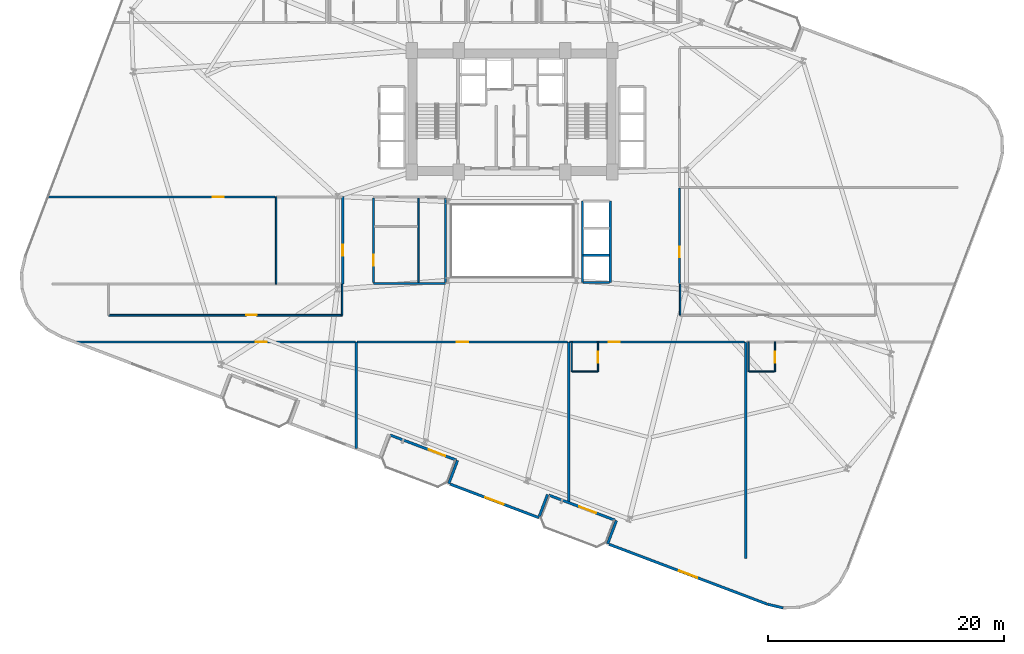
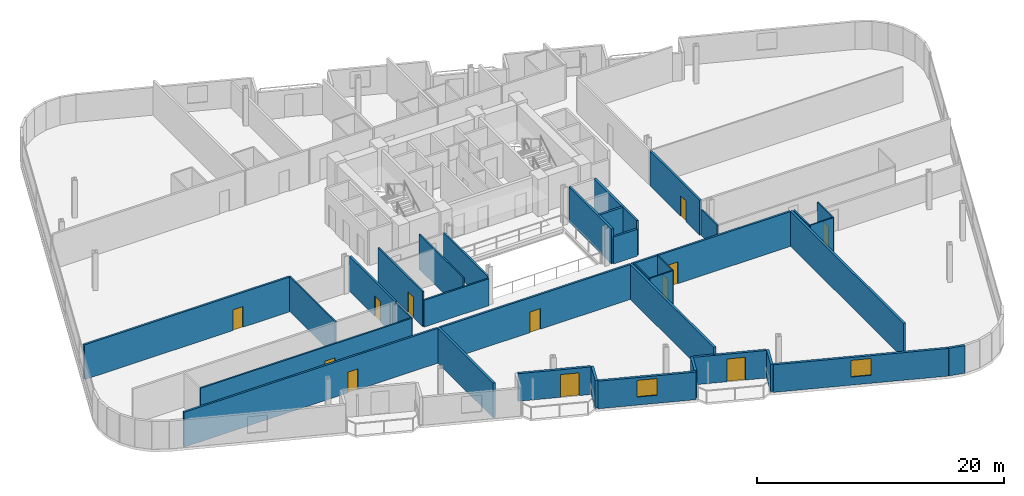
# One storey, part 17 of 24: 35 walls, 12 doors, 2 windows, 14 openings.
"""IFC4 building model written with IfcOpenShell, lengths in metres."""

from ifc_helpers import new_model, si_unit, direction, frame, frame_2d, origin, place, context, subcontext, project, spatial, rectangle, extrude, material, layer, layer_set, type_object, element, fill, save


model = new_model("IFC4")

# Units and contexts
model_context = context("Model", 3, precision=1e-05, world=origin(), true_north=direction((0.0, 1.0)))
body_context = subcontext(model_context, "Body", "Model", "MODEL_VIEW")
ifc_project = project(units=[si_unit("LENGTHUNIT", "METRE"), si_unit("AREAUNIT", "SQUARE_METRE"), si_unit("VOLUMEUNIT", "CUBIC_METRE"), si_unit("PLANEANGLEUNIT", "RADIAN"), si_unit("MASSUNIT", "GRAM", prefix="KILO")], contexts=[model_context])

# Site, building, storey
site_placement = place(None, origin())
site = spatial("IfcSite", under=ifc_project, at=site_placement, CompositionType="ELEMENT")
building_placement = place(site_placement, origin())
building = spatial("IfcBuilding", under=site, at=building_placement, Name="Varnelok Gate Tower", CompositionType="ELEMENT")
storey_placement = place(building_placement, frame((0.0, 0.0, 87.300048828125)))
storey = spatial("IfcBuildingStorey", under=building, at=storey_placement, Name="L21", CompositionType="ELEMENT", Elevation=87.300048828125)

# Wall, opening, door
ifc_material_1 = material(Name="Concrete C45/55", Category="concrete")
ifc_layer_1 = layer(ifc_material_1, 0.219970703125)
ifc_layer_set_1 = layer_set([ifc_layer_1], Name="Concrete C45/55")
wall_type_1 = type_object("IfcWallType", Name="EW-BALC-220", PredefinedType="SOLIDWALL", material=ifc_layer_set_1)
wall_1_placement = place(storey_placement, frame((34.4677734375, 4.326904296875, 0.0), z_axis=(0.0, 0.0, 1.0), x_axis=(-0.9352192676, 0.354069091436, 0.0)))
wall_1 = element("IfcWall", 1, at=wall_1_placement, inside=storey, type_object=wall_type_1, Name="L21 South Terrace Envelope Wall 2", PredefinedType="SOLIDWALL", context=body_context, shape_type="SweptSolid", body=[
    extrude(rectangle(XDim=6.000244140625, YDim=0.219970703125, at=frame_2d((3.0, 0.0))), origin(), (0.0, 0.0, 1.0), 2.72998046875),
])
opening_1_placement = place(wall_1_placement, frame((0.991943359375, 0.0, 0.0)))
opening_1 = element("IfcOpeningElement", 2, at=opening_1_placement, cuts=wall_1, Name="Opening BD-1", PredefinedType="OPENING", context=body_context, shape_type="SweptSolid", body=[
    extrude(rectangle(XDim=1.5, YDim=2.25, at=frame_2d((0.75, 1.125))), frame((0.0, 0.119873046875, 0.0), z_axis=(0.0, -1.0, 0.0), x_axis=(1.0, 0.0, 0.0)), (0.0, 0.0, 1.0), 0.239990234375),
])
ifc_material_2 = material(Name="Anodized Aluminum Alloy 6063-T6", Category="aluminium")
door_type_1 = type_object("IfcDoorType", Name="DR-EXT-BALC1500", OperationType="NOTDEFINED", PredefinedType="DOOR", material=ifc_material_2)
door_1_placement = place(opening_1_placement, origin())
door_1 = element("IfcDoor", 3, at=door_1_placement, inside=storey, type_object=door_type_1, Name="L21 South Balcony Glazed Door 2", OperationType="SINGLE_SWING_LEFT", OverallHeight=2.25, OverallWidth=1.5, PredefinedType="DOOR", context=body_context, shape_type="SweptSolid", body=[
    extrude(rectangle(XDim=1.5, YDim=2.25, at=frame_2d((0.75, 1.125))), frame((0.0, 0.02490234375, 0.0), z_axis=(0.0, -1.0, 0.0), x_axis=(1.0, 0.0, 0.0)), (0.0, 0.0, 1.0), 0.050048828125),
])
fill(opening_1, door_1)

wall_2_placement = place(storey_placement, frame((47.934814453125, -0.771484375, 0.0), z_axis=(0.0, 0.0, 1.0), x_axis=(-0.935227640088, 0.354046976001, 0.0)))
wall_2 = element("IfcWall", 4, at=wall_2_placement, inside=storey, type_object=wall_type_1, Name="L21 South Terrace Envelope Wall 3", PredefinedType="SOLIDWALL", context=body_context, shape_type="SweptSolid", body=[
    extrude(rectangle(XDim=6.0, YDim=0.219970703125, at=frame_2d((3.0, 0.0))), origin(), (0.0, 0.0, 1.0), 2.72998046875),
])
opening_2_placement = place(wall_2_placement, frame((1.73193359375, 0.0, 0.0)))
opening_2 = element("IfcOpeningElement", 5, at=opening_2_placement, cuts=wall_2, Name="Opening BD-1", PredefinedType="OPENING", context=body_context, shape_type="SweptSolid", body=[
    extrude(rectangle(XDim=1.5, YDim=2.25, at=frame_2d((0.75, 1.125))), frame((0.0, 0.119873046875, 0.0), z_axis=(0.0, -1.0, 0.0), x_axis=(1.0, 0.0, 0.0)), (0.0, 0.0, 1.0), 0.239990234375),
])
door_2_placement = place(opening_2_placement, origin())
door_2 = element("IfcDoor", 6, at=door_2_placement, inside=storey, type_object=door_type_1, Name="L21 South Balcony Glazed Door 3", OperationType="SINGLE_SWING_RIGHT", OverallHeight=2.25, OverallWidth=1.5, PredefinedType="DOOR", context=body_context, shape_type="SweptSolid", body=[
    extrude(rectangle(XDim=1.5, YDim=2.25, at=frame_2d((0.75, 1.125))), frame((0.0, 0.02490234375, 0.0), z_axis=(0.0, -1.0, 0.0), x_axis=(1.0, 0.0, 0.0)), (0.0, 0.0, 1.0), 0.050048828125),
])
fill(opening_2, door_2)

# Wall
wall_3_placement = place(storey_placement, frame((34.58349609375, 4.293701171875, 0.0), z_axis=(0.0, 0.0, 1.0), x_axis=(-0.354128469405, -0.935196785258, 0.0)))
element("IfcWall", 7, at=wall_3_placement, inside=storey, type_object=wall_type_1, Name="L21 Perimeter Facade Closure Wall 12", PredefinedType="SOLIDWALL", context=body_context, shape_type="SweptSolid", body=[
    extrude(rectangle(XDim=2.099853515625, YDim=0.219970703125, at=frame_2d((1.0498046875, 0.0))), origin(), (0.0, 0.0, 1.0), 2.72998046875),
])

# Wall, opening, window
wall_4_placement = place(storey_placement, frame((33.956787109375, 2.28564453125, 0.0), z_axis=(0.0, 0.0, 1.0), x_axis=(0.935220736163, -0.354065212427, 0.0)))
wall_4 = element("IfcWall", 8, at=wall_4_placement, inside=storey, type_object=wall_type_1, Name="L21 Perimeter Facade Closure Wall 13", PredefinedType="SOLIDWALL", context=body_context, shape_type="SweptSolid", body=[
    extrude(rectangle(XDim=8.03515625, YDim=0.219970703125, at=frame_2d((4.017578125, 0.0))), origin(), (0.0, 0.0, 1.0), 2.72998046875),
])
opening_3_placement = place(wall_4_placement, frame((3.1923828125, 0.0, 0.800048828125)))
opening_3 = element("IfcOpeningElement", 9, at=opening_3_placement, cuts=wall_4, Name="Opening WN3", PredefinedType="OPENING", context=body_context, shape_type="SweptSolid", body=[
    extrude(rectangle(XDim=1.64990234375, YDim=1.64990234375, at=frame_2d((0.824951171875, 0.824951171875))), frame((0.0, 0.119873046875, 0.0), z_axis=(0.0, -1.0, 0.0), x_axis=(1.0, 0.0, 0.0)), (0.0, 0.0, 1.0), 0.239990234375),
])
ifc_material_3 = material(Name="Low-E Laminated Double Glazing IGU", Category="glass")
window_type = type_object("IfcWindowType", Name="WN-HTL-1650", PartitioningType="SINGLE_PANEL", PredefinedType="WINDOW", material=ifc_material_3)
window_1_placement = place(opening_3_placement, origin())
window_1 = element("IfcWindow", 10, at=window_1_placement, inside=storey, type_object=window_type, Name="L21 Perimeter Vision Window 13", OverallHeight=1.64990234375, OverallWidth=1.64990234375, PartitioningType="SINGLE_PANEL", PredefinedType="WINDOW", context=body_context, shape_type="SweptSolid", body=[
    extrude(rectangle(XDim=1.64990234375, YDim=1.64990234375, at=frame_2d((0.824951171875, 0.824951171875))), frame((0.0, 0.030029296875, 0.0), z_axis=(0.0, -1.0, 0.0), x_axis=(1.0, 0.0, 0.0)), (0.0, 0.0, 1.0), 0.06005859375),
])
fill(opening_3, window_1)

# Walls
wall_5_placement = place(storey_placement, frame((41.515625, -0.4423828125, 0.0), z_axis=(0.0, 0.0, 1.0), x_axis=(0.354061611705, 0.935222099352, 0.0)))
element("IfcWall", 11, at=wall_5_placement, inside=storey, type_object=wall_type_1, Name="L21 Perimeter Facade Closure Wall 14", PredefinedType="SOLIDWALL", context=body_context, shape_type="SweptSolid", body=[
    extrude(rectangle(XDim=1.974853515625, YDim=0.219970703125, at=frame_2d((0.9873046875, 0.0))), origin(), (0.0, 0.0, 1.0), 2.72998046875),
])
wall_6_placement = place(storey_placement, frame((48.050537109375, -0.8046875, 0.0), z_axis=(0.0, 0.0, 1.0), x_axis=(-0.353988291547, -0.935249854022, 0.0)))
element("IfcWall", 12, at=wall_6_placement, inside=storey, type_object=wall_type_1, Name="L21 Perimeter Facade Closure Wall 15", PredefinedType="SOLIDWALL", context=body_context, shape_type="SweptSolid", body=[
    extrude(rectangle(XDim=2.10009765625, YDim=0.219970703125, at=frame_2d((1.050048828125, 0.0))), origin(), (0.0, 0.0, 1.0), 2.72998046875),
])

# Wall, opening, window
wall_7_placement = place(storey_placement, frame((47.424072265625, -2.81298828125, 0.0), z_axis=(0.0, 0.0, 1.0), x_axis=(0.935225962032, -0.354051408614, 0.0)))
wall_7 = element("IfcWall", 13, at=wall_7_placement, inside=storey, type_object=wall_type_1, Name="L21 Perimeter Facade Closure Wall 16", PredefinedType="SOLIDWALL", context=body_context, shape_type="SweptSolid", body=[
    extrude(rectangle(XDim=14.346923828125, YDim=0.219970703125, at=frame_2d((7.17333984375, 0.0))), origin(), (0.0, 0.0, 1.0), 2.72998046875),
])
opening_4_placement = place(wall_7_placement, frame((6.348388671875, 0.0, 0.800048828125)))
opening_4 = element("IfcOpeningElement", 14, at=opening_4_placement, cuts=wall_7, Name="Opening WN3", PredefinedType="OPENING", context=body_context, shape_type="SweptSolid", body=[
    extrude(rectangle(XDim=1.64990234375, YDim=1.64990234375, at=frame_2d((0.824951171875, 0.824951171875))), frame((0.0, 0.119873046875, 0.0), z_axis=(0.0, -1.0, 0.0), x_axis=(1.0, 0.0, 0.0)), (0.0, 0.0, 1.0), 0.239990234375),
])
window_2_placement = place(opening_4_placement, origin())
window_2 = element("IfcWindow", 15, at=window_2_placement, inside=storey, type_object=window_type, Name="L21 Perimeter Vision Window 16", OverallHeight=1.64990234375, OverallWidth=1.64990234375, PartitioningType="SINGLE_PANEL", PredefinedType="WINDOW", context=body_context, shape_type="SweptSolid", body=[
    extrude(rectangle(XDim=1.64990234375, YDim=1.64990234375, at=frame_2d((0.824951171875, 0.824951171875))), frame((0.0, 0.030029296875, 0.0), z_axis=(0.0, -1.0, 0.0), x_axis=(1.0, 0.0, 0.0)), (0.0, 0.0, 1.0), 0.06005859375),
])
fill(opening_4, window_2)

# Wall
wall_8_placement = place(storey_placement, frame((60.8662109375, -7.8984375, 0.0), z_axis=(0.0, 0.0, 1.0), x_axis=(0.973405403345, -0.229089329169, 0.0)))
element("IfcWall", 16, at=wall_8_placement, inside=storey, type_object=wall_type_1, Name="L21 Perimeter Facade Closure Wall 17", PredefinedType="SOLIDWALL", context=body_context, shape_type="SweptSolid", body=[
    extrude(rectangle(XDim=1.36083984375, YDim=0.219970703125, at=frame_2d((0.680419921875, 0.0))), origin(), (0.0, 0.0, 1.0), 2.72998046875),
])

# Wall, opening, door
ifc_material_4 = material(Name="Gypsum Plasterboard Acoustic Partition", Category="gypsum")
ifc_layer_2 = layer(ifc_material_4, 0.179931640625)
ifc_layer_set_2 = layer_set([ifc_layer_2], Name="Gypsum Plasterboard Acoustic Partition")
wall_type_2 = type_object("IfcWallType", Name="PW-CORR-180", PredefinedType="PARTITIONING", material=ifc_layer_set_2)
wall_9_placement = place(storey_placement, frame((2.146240234375, 14.35009765625, 0.0), z_axis=(0.0, 0.0, 1.0), x_axis=(1.0, 0.0, 0.0)))
wall_9 = element("IfcWall", 17, at=wall_9_placement, inside=storey, type_object=wall_type_2, Name="Interior Partition", PredefinedType="PARTITIONING", context=body_context, shape_type="SweptSolid", body=[
    extrude(rectangle(XDim=23.773681640625, YDim=0.179931640625, at=frame_2d((11.88671875, 0.0))), origin(), (0.0, 0.0, 1.0), 3.449951171875),
])
opening_5_placement = place(wall_9_placement, frame((15.32861328125, 0.0, 0.0)))
opening_5 = element("IfcOpeningElement", 18, at=opening_5_placement, cuts=wall_9, Name="Opening D-I2", PredefinedType="OPENING", context=body_context, shape_type="SweptSolid", body=[
    extrude(rectangle(XDim=0.949951171875, YDim=2.050048828125, at=frame_2d((0.47509765625, 1.02490234375))), frame((0.0, 0.099853515625, 0.0), z_axis=(0.0, -1.0, 0.0), x_axis=(1.0, 0.0, 0.0)), (0.0, 0.0, 1.0), 0.199951171875),
])
ifc_material_5 = material(Name="Engineered Hardwood Timber", Category="wood")
door_type_2 = type_object("IfcDoorType", Name="DR-INT-950", OperationType="NOTDEFINED", PredefinedType="DOOR", material=ifc_material_5)
door_3_placement = place(opening_5_placement, origin())
door_3 = element("IfcDoor", 19, at=door_3_placement, inside=storey, type_object=door_type_2, Name="L21 Hotel Business Center Door", OperationType="SINGLE_SWING_LEFT", OverallHeight=2.050048828125, OverallWidth=0.949951171875, PredefinedType="DOOR", context=body_context, shape_type="SweptSolid", body=[
    extrude(rectangle(XDim=0.949951171875, YDim=2.050048828125, at=frame_2d((0.47509765625, 1.02490234375))), frame((0.0, 0.02490234375, 0.0), z_axis=(0.0, -1.0, 0.0), x_axis=(1.0, 0.0, 0.0)), (0.0, 0.0, 1.0), 0.050048828125),
])
fill(opening_5, door_3)

wall_10_placement = place(storey_placement, frame((26.080078125, 14.35009765625, 0.0), z_axis=(0.0, 0.0, 1.0), x_axis=(1.0, 0.0, 0.0)))
wall_10 = element("IfcWall", 20, at=wall_10_placement, inside=storey, type_object=wall_type_2, Name="Interior Partition", PredefinedType="PARTITIONING", context=body_context, shape_type="SweptSolid", body=[
    extrude(rectangle(XDim=17.83984375, YDim=0.179931640625, at=frame_2d((8.919921875, 0.0))), origin(), (0.0, 0.0, 1.0), 3.449951171875),
])
opening_6_placement = place(wall_10_placement, frame((8.445068359375, 0.0, 0.0)))
opening_6 = element("IfcOpeningElement", 21, at=opening_6_placement, cuts=wall_10, Name="Opening D-I2", PredefinedType="OPENING", context=body_context, shape_type="SweptSolid", body=[
    extrude(rectangle(XDim=0.949951171875, YDim=2.050048828125, at=frame_2d((0.47509765625, 1.02490234375))), frame((0.0, 0.099853515625, 0.0), z_axis=(0.0, -1.0, 0.0), x_axis=(1.0, 0.0, 0.0)), (0.0, 0.0, 1.0), 0.199951171875),
])
door_4_placement = place(opening_6_placement, origin())
door_4 = element("IfcDoor", 22, at=door_4_placement, inside=storey, type_object=door_type_2, Name="L21 Executive Business Office 1 Door", OperationType="SINGLE_SWING_LEFT", OverallHeight=2.050048828125, OverallWidth=0.949951171875, PredefinedType="DOOR", context=body_context, shape_type="SweptSolid", body=[
    extrude(rectangle(XDim=0.949951171875, YDim=2.050048828125, at=frame_2d((0.47509765625, 1.02490234375))), frame((0.0, 0.02490234375, 0.0), z_axis=(0.0, -1.0, 0.0), x_axis=(1.0, 0.0, 0.0)), (0.0, 0.0, 1.0), 0.050048828125),
])
fill(opening_6, door_4)

wall_11_placement = place(storey_placement, frame((44.080078125, 14.35009765625, 0.0), z_axis=(0.0, 0.0, 1.0), x_axis=(1.0, 0.0, 0.0)))
wall_11 = element("IfcWall", 23, at=wall_11_placement, inside=storey, type_object=wall_type_2, Name="Interior Partition", PredefinedType="PARTITIONING", context=body_context, shape_type="SweptSolid", body=[
    extrude(rectangle(XDim=14.83984375, YDim=0.179931640625, at=frame_2d((7.419921875, 0.0))), origin(), (0.0, 0.0, 1.0), 3.449951171875),
])
opening_7_placement = place(wall_11_placement, frame((3.323486328125, 0.0, 0.0)))
opening_7 = element("IfcOpeningElement", 24, at=opening_7_placement, cuts=wall_11, Name="Opening D-HT", PredefinedType="OPENING", context=body_context, shape_type="SweptSolid", body=[
    extrude(rectangle(XDim=0.949951171875, YDim=2.14990234375, at=frame_2d((0.47509765625, 1.074951171875))), frame((0.0, 0.099853515625, 0.0), z_axis=(0.0, -1.0, 0.0), x_axis=(1.0, 0.0, 0.0)), (0.0, 0.0, 1.0), 0.199951171875),
])
door_type_3 = type_object("IfcDoorType", Name="DR-HTL-950", OperationType="NOTDEFINED", PredefinedType="DOOR", material=ifc_material_5)
door_5_placement = place(opening_7_placement, origin())
door_5 = element("IfcDoor", 25, at=door_5_placement, inside=storey, type_object=door_type_3, Name="L21 Guest Room 03 Entrance Door", OperationType="SINGLE_SWING_RIGHT", OverallHeight=2.14990234375, OverallWidth=0.949951171875, PredefinedType="DOOR", context=body_context, shape_type="SweptSolid", body=[
    extrude(rectangle(XDim=0.949951171875, YDim=2.14990234375, at=frame_2d((0.47509765625, 1.074951171875))), frame((0.0, 0.02490234375, 0.0), z_axis=(0.0, -1.0, 0.0), x_axis=(1.0, 0.0, 0.0)), (0.0, 0.0, 1.0), 0.050048828125),
])
fill(opening_7, door_5)

wall_12_placement = place(storey_placement, frame((-0.093505859375, 26.639892578125, 0.0), z_axis=(0.0, 0.0, 1.0), x_axis=(1.0, 0.0, 0.0)))
wall_12 = element("IfcWall", 26, at=wall_12_placement, inside=storey, type_object=wall_type_2, Name="Interior Partition", PredefinedType="PARTITIONING", context=body_context, shape_type="SweptSolid", body=[
    extrude(rectangle(XDim=19.213623046875, YDim=0.179931640625, at=frame_2d((9.60693359375, 0.0))), origin(), (0.0, 0.0, 1.0), 3.449951171875),
])
opening_8_placement = place(wall_12_placement, frame((13.922607421875, 0.0, 0.0)))
opening_8 = element("IfcOpeningElement", 27, at=opening_8_placement, cuts=wall_12, Name="Opening D-I3", PredefinedType="OPENING", context=body_context, shape_type="SweptSolid", body=[
    extrude(rectangle(XDim=0.919921875, YDim=2.050048828125, at=frame_2d((0.4599609375, 1.02490234375))), frame((0.0, 0.099853515625, 0.0), z_axis=(0.0, -1.0, 0.0), x_axis=(1.0, 0.0, 0.0)), (0.0, 0.0, 1.0), 0.199951171875),
])
door_type_4 = type_object("IfcDoorType", Name="DR-INT-920", OperationType="NOTDEFINED", PredefinedType="DOOR", material=ifc_material_5)
door_6_placement = place(opening_8_placement, origin())
door_6 = element("IfcDoor", 28, at=door_6_placement, inside=storey, type_object=door_type_4, Name="L21 West Treatment Door", OperationType="SINGLE_SWING_RIGHT", OverallHeight=2.050048828125, OverallWidth=0.919921875, PredefinedType="DOOR", context=body_context, shape_type="SweptSolid", body=[
    extrude(rectangle(XDim=0.919921875, YDim=2.050048828125, at=frame_2d((0.4599609375, 1.02490234375))), frame((0.0, 0.02490234375, 0.0), z_axis=(0.0, -1.0, 0.0), x_axis=(1.0, 0.0, 0.0)), (0.0, 0.0, 1.0), 0.050048828125),
])
fill(opening_8, door_6)

wall_13_placement = place(storey_placement, frame((24.85009765625, 19.239990234375, 0.0), z_axis=(0.0, 0.0, 1.0), x_axis=(0.0, 1.0, 0.0)))
wall_13 = element("IfcWall", 29, at=wall_13_placement, inside=storey, type_object=wall_type_2, Name="Interior Partition", PredefinedType="PARTITIONING", context=body_context, shape_type="SweptSolid", body=[
    extrude(rectangle(XDim=7.419921875, YDim=0.179931640625, at=frame_2d((3.7099609375, 0.0))), origin(), (0.0, 0.0, 1.0), 3.449951171875),
])
opening_9_placement = place(wall_13_placement, frame((2.39990234375, 0.0, 0.0)))
opening_9 = element("IfcOpeningElement", 30, at=opening_9_placement, cuts=wall_13, Name="Opening D-I3", PredefinedType="OPENING", context=body_context, shape_type="SweptSolid", body=[
    extrude(rectangle(XDim=0.919921875, YDim=2.050048828125, at=frame_2d((0.4599609375, 1.02490234375))), frame((0.0, 0.099853515625, 0.0), z_axis=(0.0, -1.0, 0.0), x_axis=(1.0, 0.0, 0.0)), (0.0, 0.0, 1.0), 0.199951171875),
])
door_7_placement = place(opening_9_placement, origin())
door_7 = element("IfcDoor", 31, at=door_7_placement, inside=storey, type_object=door_type_4, Name="L21 West Playroom Door", OperationType="SINGLE_SWING_LEFT", OverallHeight=2.050048828125, OverallWidth=0.919921875, PredefinedType="DOOR", context=body_context, shape_type="SweptSolid", body=[
    extrude(rectangle(XDim=0.919921875, YDim=2.050048828125, at=frame_2d((0.4599609375, 1.02490234375))), frame((0.0, 0.02490234375, 0.0), z_axis=(0.0, -1.0, 0.0), x_axis=(1.0, 0.0, 0.0)), (0.0, 0.0, 1.0), 0.050048828125),
])
fill(opening_9, door_7)

wall_14_placement = place(storey_placement, frame((53.389892578125, 19.300048828125, 0.0), z_axis=(0.0, 0.0, 1.0), x_axis=(0.0, 1.0, 0.0)))
wall_14 = element("IfcWall", 32, at=wall_14_placement, inside=storey, type_object=wall_type_2, Name="Interior Partition", PredefinedType="PARTITIONING", context=body_context, shape_type="SweptSolid", body=[
    extrude(rectangle(XDim=8.070068359375, YDim=0.179931640625, at=frame_2d((4.03515625, 0.0))), origin(), (0.0, 0.0, 1.0), 3.449951171875),
])
opening_10_placement = place(wall_14_placement, frame((2.199951171875, 0.0, 0.0)))
opening_10 = element("IfcOpeningElement", 33, at=opening_10_placement, cuts=wall_14, Name="Opening D-I3", PredefinedType="OPENING", context=body_context, shape_type="SweptSolid", body=[
    extrude(rectangle(XDim=0.919921875, YDim=2.050048828125, at=frame_2d((0.4599609375, 1.02490234375))), frame((0.0, 0.099853515625, 0.0), z_axis=(0.0, -1.0, 0.0), x_axis=(1.0, 0.0, 0.0)), (0.0, 0.0, 1.0), 0.199951171875),
])
door_8_placement = place(opening_10_placement, origin())
door_8 = element("IfcDoor", 34, at=door_8_placement, inside=storey, type_object=door_type_4, Name="L21 East Suite 1 Door", OperationType="SINGLE_SWING_LEFT", OverallHeight=2.050048828125, OverallWidth=0.919921875, PredefinedType="DOOR", context=body_context, shape_type="SweptSolid", body=[
    extrude(rectangle(XDim=0.919921875, YDim=2.050048828125, at=frame_2d((0.4599609375, 1.02490234375))), frame((0.0, 0.02490234375, 0.0), z_axis=(0.0, -1.0, 0.0), x_axis=(1.0, 0.0, 0.0)), (0.0, 0.0, 1.0), 0.050048828125),
])
fill(opening_10, door_8)

# Wall
ifc_layer_3 = layer(ifc_material_4, 0.114990234375)
ifc_layer_set_3 = layer_set([ifc_layer_3], Name="Gypsum Plasterboard Acoustic Partition")
wall_type_3 = type_object("IfcWallType", Name="PW-ENS-125", PredefinedType="PARTITIONING", material=ifc_layer_set_3)
wall_15_placement = place(storey_placement, frame((44.300048828125, 11.830078125, 0.0), z_axis=(0.0, 0.0, 1.0), x_axis=(1.0, 0.0, 0.0)))
element("IfcWall", 35, at=wall_15_placement, inside=storey, type_object=wall_type_3, Name="Interior Partition", PredefinedType="PARTITIONING", context=body_context, shape_type="SweptSolid", body=[
    extrude(rectangle(XDim=2.14990234375, YDim=0.114990234375, at=frame_2d((1.074951171875, 0.0))), origin(), (0.0, 0.0, 1.0), 3.449951171875),
])

# Wall, opening, door
wall_16_placement = place(storey_placement, frame((46.489990234375, 11.830078125, 0.0), z_axis=(0.0, 0.0, 1.0), x_axis=(0.0, 1.0, 0.0)))
wall_16 = element("IfcWall", 36, at=wall_16_placement, inside=storey, type_object=wall_type_3, Name="Interior Partition", PredefinedType="PARTITIONING", context=body_context, shape_type="SweptSolid", body=[
    extrude(rectangle(XDim=2.52001953125, YDim=0.114990234375, at=frame_2d((1.260009765625, 0.0))), origin(), (0.0, 0.0, 1.0), 3.449951171875),
])
opening_11_placement = place(wall_16_placement, frame((0.760009765625, 0.0, 0.0)))
opening_11 = element("IfcOpeningElement", 37, at=opening_11_placement, cuts=wall_16, Name="Opening D-WC", PredefinedType="OPENING", context=body_context, shape_type="SweptSolid", body=[
    extrude(rectangle(XDim=0.89990234375, YDim=2.050048828125, at=frame_2d((0.449951171875, 1.02490234375))), frame((0.0, 0.0673828125, 0.0), z_axis=(0.0, -1.0, 0.0), x_axis=(1.0, 0.0, 0.0)), (0.0, 0.0, 1.0), 0.135009765625),
])
door_type_5 = type_object("IfcDoorType", Name="DR-BATH-900", OperationType="NOTDEFINED", PredefinedType="DOOR", material=ifc_material_5)
door_9_placement = place(opening_11_placement, origin())
door_9 = element("IfcDoor", 38, at=door_9_placement, inside=storey, type_object=door_type_5, Name="L21 Guest En-Suite 03 Door", OperationType="SINGLE_SWING_LEFT", OverallHeight=2.050048828125, OverallWidth=0.89990234375, PredefinedType="DOOR", context=body_context, shape_type="SweptSolid", body=[
    extrude(rectangle(XDim=0.89990234375, YDim=2.050048828125, at=frame_2d((0.449951171875, 1.02490234375))), frame((0.0, 0.02490234375, 0.0), z_axis=(0.0, -1.0, 0.0), x_axis=(1.0, 0.0, 0.0)), (0.0, 0.0, 1.0), 0.050048828125),
])
fill(opening_11, door_9)

# Walls
wall_17_placement = place(storey_placement, frame((44.260009765625, 11.830078125, 0.0), z_axis=(0.0, 0.0, 1.0), x_axis=(0.0, 1.0, 0.0)))
element("IfcWall", 39, at=wall_17_placement, inside=storey, type_object=wall_type_3, Name="Interior Partition", PredefinedType="PARTITIONING", context=body_context, shape_type="SweptSolid", body=[
    extrude(rectangle(XDim=2.52001953125, YDim=0.114990234375, at=frame_2d((1.260009765625, 0.0))), origin(), (0.0, 0.0, 1.0), 3.449951171875),
])
wall_18_placement = place(storey_placement, frame((59.300048828125, 11.830078125, 0.0), z_axis=(0.0, 0.0, 1.0), x_axis=(1.0, 0.0, 0.0)))
element("IfcWall", 40, at=wall_18_placement, inside=storey, type_object=wall_type_3, Name="Interior Partition", PredefinedType="PARTITIONING", context=body_context, shape_type="SweptSolid", body=[
    extrude(rectangle(XDim=2.14990234375, YDim=0.114990234375, at=frame_2d((1.074951171875, 0.0))), origin(), (0.0, 0.0, 1.0), 3.449951171875),
])

# Wall, opening, door
wall_19_placement = place(storey_placement, frame((61.489990234375, 11.830078125, 0.0), z_axis=(0.0, 0.0, 1.0), x_axis=(0.0, 1.0, 0.0)))
wall_19 = element("IfcWall", 41, at=wall_19_placement, inside=storey, type_object=wall_type_3, Name="Interior Partition", PredefinedType="PARTITIONING", context=body_context, shape_type="SweptSolid", body=[
    extrude(rectangle(XDim=2.52001953125, YDim=0.114990234375, at=frame_2d((1.260009765625, 0.0))), origin(), (0.0, 0.0, 1.0), 3.449951171875),
])
opening_12_placement = place(wall_19_placement, frame((0.760009765625, 0.0, 0.0)))
opening_12 = element("IfcOpeningElement", 42, at=opening_12_placement, cuts=wall_19, Name="Opening D-WC", PredefinedType="OPENING", context=body_context, shape_type="SweptSolid", body=[
    extrude(rectangle(XDim=0.89990234375, YDim=2.050048828125, at=frame_2d((0.449951171875, 1.02490234375))), frame((0.0, 0.0673828125, 0.0), z_axis=(0.0, -1.0, 0.0), x_axis=(1.0, 0.0, 0.0)), (0.0, 0.0, 1.0), 0.135009765625),
])
door_10_placement = place(opening_12_placement, origin())
door_10 = element("IfcDoor", 43, at=door_10_placement, inside=storey, type_object=door_type_5, Name="L21 Guest En-Suite 04 Door", OperationType="SINGLE_SWING_LEFT", OverallHeight=2.050048828125, OverallWidth=0.89990234375, PredefinedType="DOOR", context=body_context, shape_type="SweptSolid", body=[
    extrude(rectangle(XDim=0.89990234375, YDim=2.050048828125, at=frame_2d((0.449951171875, 1.02490234375))), frame((0.0, 0.02490234375, 0.0), z_axis=(0.0, -1.0, 0.0), x_axis=(1.0, 0.0, 0.0)), (0.0, 0.0, 1.0), 0.050048828125),
])
fill(opening_12, door_10)

# Walls
wall_20_placement = place(storey_placement, frame((59.260009765625, 11.830078125, 0.0), z_axis=(0.0, 0.0, 1.0), x_axis=(0.0, 1.0, 0.0)))
element("IfcWall", 44, at=wall_20_placement, inside=storey, type_object=wall_type_3, Name="Interior Partition", PredefinedType="PARTITIONING", context=body_context, shape_type="SweptSolid", body=[
    extrude(rectangle(XDim=2.52001953125, YDim=0.114990234375, at=frame_2d((1.260009765625, 0.0))), origin(), (0.0, 0.0, 1.0), 3.449951171875),
])
ifc_layer_4 = layer(ifc_material_4, 0.125)
ifc_layer_set_4 = layer_set([ifc_layer_4], Name="Gypsum Plasterboard Acoustic Partition")
wall_type_4 = type_object("IfcWallType", Name="PW-PART-125", PredefinedType="PARTITIONING", material=ifc_layer_set_4)
wall_21_placement = place(storey_placement, frame((24.800048828125, 16.610107421875, 0.0), z_axis=(0.0, 0.0, 1.0), x_axis=(0.0, 1.0, 0.0)))
element("IfcWall", 45, at=wall_21_placement, inside=storey, type_object=wall_type_4, Name="Interior Partition", PredefinedType="PARTITIONING", context=body_context, shape_type="SweptSolid", body=[
    extrude(rectangle(XDim=2.6298828125, YDim=0.125, at=frame_2d((1.31494140625, 0.0))), origin(), (0.0, 0.0, 1.0), 3.449951171875),
])
wall_22_placement = place(storey_placement, frame((53.449951171875, 16.610107421875, 0.0), z_axis=(0.0, 0.0, 1.0), x_axis=(0.0, 1.0, 0.0)))
element("IfcWall", 46, at=wall_22_placement, inside=storey, type_object=wall_type_4, Name="Interior Partition", PredefinedType="PARTITIONING", context=body_context, shape_type="SweptSolid", body=[
    extrude(rectangle(XDim=2.6298828125, YDim=0.125, at=frame_2d((1.31494140625, 0.0))), origin(), (0.0, 0.0, 1.0), 2.579833984375),
])
wall_23_placement = place(storey_placement, frame((19.199951171875, 19.239990234375, 0.0), z_axis=(0.0, 0.0, 1.0), x_axis=(0.0, 1.0, 0.0)))
element("IfcWall", 47, at=wall_23_placement, inside=storey, type_object=wall_type_4, Name="Interior Partition", PredefinedType="PARTITIONING", context=body_context, shape_type="SweptSolid", body=[
    extrude(rectangle(XDim=7.419921875, YDim=0.125, at=frame_2d((3.7099609375, 0.0))), origin(), (0.0, 0.0, 1.0), 3.449951171875),
])
wall_24_placement = place(storey_placement, frame((31.280029296875, 19.3798828125, 0.0), z_axis=(0.0, 0.0, 1.0), x_axis=(0.0, 1.0, 0.0)))
element("IfcWall", 48, at=wall_24_placement, inside=storey, type_object=wall_type_4, Name="Interior Partition", PredefinedType="PARTITIONING", context=body_context, shape_type="SweptSolid", body=[
    extrude(rectangle(XDim=7.16015625, YDim=0.125, at=frame_2d((3.580078125, 0.0))), origin(), (0.0, 0.0, 1.0), 3.449951171875),
])

# Wall, opening, door
ifc_layer_5 = layer(ifc_material_4, 0.14990234375)
ifc_layer_set_5 = layer_set([ifc_layer_5], Name="Gypsum Plasterboard Acoustic Partition")
wall_type_5 = type_object("IfcWallType", Name="PW-PART-150", PredefinedType="PARTITIONING", material=ifc_layer_set_5)
wall_25_placement = place(storey_placement, frame((5.0, 16.610107421875, 0.0), z_axis=(0.0, 0.0, 1.0), x_axis=(1.0, 0.0, 0.0)))
wall_25 = element("IfcWall", 49, at=wall_25_placement, inside=storey, type_object=wall_type_5, Name="Interior Partition", PredefinedType="PARTITIONING", context=body_context, shape_type="SweptSolid", body=[
    extrude(rectangle(XDim=19.800048828125, YDim=0.14990234375, at=frame_2d((9.89990234375, 0.0))), origin(), (0.0, 0.0, 1.0), 3.449951171875),
])
opening_13_placement = place(wall_25_placement, frame((11.659912109375, 0.0, 0.0)))
opening_13 = element("IfcOpeningElement", 50, at=opening_13_placement, cuts=wall_25, Name="Opening D-I3", PredefinedType="OPENING", context=body_context, shape_type="SweptSolid", body=[
    extrude(rectangle(XDim=0.919921875, YDim=2.050048828125, at=frame_2d((0.4599609375, 1.02490234375))), frame((0.0, 0.0849609375, 0.0), z_axis=(0.0, -1.0, 0.0), x_axis=(1.0, 0.0, 0.0)), (0.0, 0.0, 1.0), 0.169921875),
])
door_11_placement = place(opening_13_placement, origin())
door_11 = element("IfcDoor", 51, at=door_11_placement, inside=storey, type_object=door_type_4, Name="L21 Atrium Room 1 Door", OperationType="SINGLE_SWING_LEFT", OverallHeight=2.050048828125, OverallWidth=0.919921875, PredefinedType="DOOR", context=body_context, shape_type="SweptSolid", body=[
    extrude(rectangle(XDim=0.919921875, YDim=2.050048828125, at=frame_2d((0.4599609375, 1.02490234375))), frame((0.0, 0.02490234375, 0.0), z_axis=(0.0, -1.0, 0.0), x_axis=(1.0, 0.0, 0.0)), (0.0, 0.0, 1.0), 0.050048828125),
])
fill(opening_13, door_11)

# Wall
wall_26_placement = place(storey_placement, frame((27.4599609375, 19.300048828125, 0.0), z_axis=(0.0, 0.0, 1.0), x_axis=(1.0, 0.0, 0.0)))
element("IfcWall", 52, at=wall_26_placement, inside=storey, type_object=wall_type_5, Name="Interior Partition", PredefinedType="PARTITIONING", context=body_context, shape_type="SweptSolid", body=[
    extrude(rectangle(XDim=6.10009765625, YDim=0.14990234375, at=frame_2d((3.050048828125, 0.0))), origin(), (0.0, 0.0, 1.0), 2.661865234375),
])

# Wall, opening, door
wall_27_placement = place(storey_placement, frame((27.4599609375, 19.3798828125, 0.0), z_axis=(0.0, 0.0, 1.0), x_axis=(0.0, 1.0, 0.0)))
wall_27 = element("IfcWall", 53, at=wall_27_placement, inside=storey, type_object=wall_type_5, Name="Interior Partition", PredefinedType="PARTITIONING", context=body_context, shape_type="SweptSolid", body=[
    extrude(rectangle(XDim=7.16015625, YDim=0.14990234375, at=frame_2d((3.580078125, 0.0))), origin(), (0.0, 0.0, 1.0), 3.449951171875),
])
opening_14_placement = place(wall_27_placement, frame((1.39990234375, 0.0, 0.0)))
opening_14 = element("IfcOpeningElement", 54, at=opening_14_placement, cuts=wall_27, Name="Opening D-I2", PredefinedType="OPENING", context=body_context, shape_type="SweptSolid", body=[
    extrude(rectangle(XDim=0.949951171875, YDim=2.050048828125, at=frame_2d((0.47509765625, 1.02490234375))), frame((0.0, 0.0849609375, 0.0), z_axis=(0.0, -1.0, 0.0), x_axis=(1.0, 0.0, 0.0)), (0.0, 0.0, 1.0), 0.169921875),
])
door_12_placement = place(opening_14_placement, origin())
door_12 = element("IfcDoor", 55, at=door_12_placement, inside=storey, type_object=door_type_2, Name="L21 Children Playroom Door", OperationType="SINGLE_SWING_LEFT", OverallHeight=2.050048828125, OverallWidth=0.949951171875, PredefinedType="DOOR", context=body_context, shape_type="SweptSolid", body=[
    extrude(rectangle(XDim=0.949951171875, YDim=2.050048828125, at=frame_2d((0.47509765625, 1.02490234375))), frame((0.0, 0.02490234375, 0.0), z_axis=(0.0, -1.0, 0.0), x_axis=(1.0, 0.0, 0.0)), (0.0, 0.0, 1.0), 0.050048828125),
])
fill(opening_14, door_12)

# Walls
wall_28_placement = place(storey_placement, frame((33.56005859375, 19.3798828125, 0.0), z_axis=(0.0, 0.0, 1.0), x_axis=(0.0, 1.0, 0.0)))
element("IfcWall", 56, at=wall_28_placement, inside=storey, type_object=wall_type_5, Name="Interior Partition", PredefinedType="PARTITIONING", context=body_context, shape_type="SweptSolid", body=[
    extrude(rectangle(XDim=7.16015625, YDim=0.14990234375, at=frame_2d((3.580078125, 0.0))), origin(), (0.0, 0.0, 1.0), 2.823974609375),
])
ifc_layer_6 = layer(ifc_material_4, 0.205078125)
ifc_layer_set_6 = layer_set([ifc_layer_6], Name="Gypsum Plasterboard Acoustic Partition")
wall_type_6 = type_object("IfcWallType", Name="PW-PARTY-200", PredefinedType="PARTITIONING", material=ifc_layer_set_6)
wall_29_placement = place(storey_placement, frame((26.0, 5.3193359375, 0.0), z_axis=(0.0, 0.0, 1.0), x_axis=(0.0, 1.0, 0.0)))
element("IfcWall", 57, at=wall_29_placement, inside=storey, type_object=wall_type_6, Name="L21 South Party Wall 1", PredefinedType="PARTITIONING", context=body_context, shape_type="SweptSolid", body=[
    extrude(rectangle(XDim=9.03076171875, YDim=0.205078125, at=frame_2d((4.515380859375, 0.0))), origin(), (0.0, 0.0, 1.0), 3.449951171875),
])
wall_30_placement = place(storey_placement, frame((44.0, 0.750244140625, 0.0), z_axis=(0.0, 0.0, 1.0), x_axis=(0.0, 1.0, 0.0)))
element("IfcWall", 58, at=wall_30_placement, inside=storey, type_object=wall_type_6, Name="L21 South Party Wall 2", PredefinedType="PARTITIONING", context=body_context, shape_type="SweptSolid", body=[
    extrude(rectangle(XDim=13.599853515625, YDim=0.205078125, at=frame_2d((6.7998046875, 0.0))), origin(), (0.0, 0.0, 1.0), 3.449951171875),
])
wall_31_placement = place(storey_placement, frame((59.0, -4.0, 0.0), z_axis=(0.0, 0.0, 1.0), x_axis=(0.0, 1.0, 0.0)))
element("IfcWall", 59, at=wall_31_placement, inside=storey, type_object=wall_type_6, Name="L21 South Party Wall 3", PredefinedType="PARTITIONING", context=body_context, shape_type="SweptSolid", body=[
    extrude(rectangle(XDim=18.35009765625, YDim=0.205078125, at=frame_2d((9.175048828125, 0.0))), origin(), (0.0, 0.0, 1.0), 3.449951171875),
])
ifc_material_6 = material(Name="Concrete C35/45", Category="concrete")
ifc_layer_7 = layer(ifc_material_6, 0.199951171875)
ifc_layer_set_7 = layer_set([ifc_layer_7], Name="Concrete C35/45")
wall_type_7 = type_object("IfcWallType", Name="PW-SHAFT-200", PredefinedType="PARTITIONING", material=ifc_layer_set_7)
wall_32_placement = place(storey_placement, frame((45.239990234375, 21.675048828125, 0.0), z_axis=(0.0, 0.0, 1.0), x_axis=(1.0, 0.0, 0.0)))
element("IfcWall", 60, at=wall_32_placement, inside=storey, type_object=wall_type_7, Name="L21 PH1 Divider", PredefinedType="PARTITIONING", context=body_context, shape_type="SweptSolid", body=[
    extrude(rectangle(XDim=2.219970703125, YDim=0.199951171875, at=frame_2d((1.10986328125, 0.0))), origin(), (0.0, 0.0, 1.0), 3.449951171875),
])
wall_33_placement = place(storey_placement, frame((45.239990234375, 19.3798828125, 0.0), z_axis=(0.0, 0.0, 1.0), x_axis=(1.0, 0.0, 0.0)))
element("IfcWall", 61, at=wall_33_placement, inside=storey, type_object=wall_type_7, Name="L21 PH Bank South Wall", PredefinedType="PARTITIONING", context=body_context, shape_type="SweptSolid", body=[
    extrude(rectangle(XDim=2.219970703125, YDim=0.199951171875, at=frame_2d((1.10986328125, 0.0))), origin(), (0.0, 0.0, 1.0), 2.661865234375),
])
for number, where, z_axis, x_axis, name in (
    (62, (45.179931640625, 19.3798828125, 0.0), (0.0, 0.0, 1.0), (0.0, 1.0, 0.0), "L21 PH Bank Atrium Wall"),
    (63, (47.52001953125, 19.3798828125, 0.0), (0.0, 0.0, 1.0), (0.0, 1.0, 0.0), "L21 PH Bank Front Wall"),
):
    element("IfcWall", number, at=place(storey_placement, frame(where, z_axis=z_axis, x_axis=x_axis)), inside=storey, type_object=wall_type_7, Name=name, PredefinedType="PARTITIONING", context=body_context, shape_type="SweptSolid", body=[
        extrude(rectangle(XDim=6.900146484375, YDim=0.199951171875, at=frame_2d((3.4501953125, 0.0))), origin(), (0.0, 0.0, 1.0), 3.449951171875),
    ])

save(model, "model.ifc")
